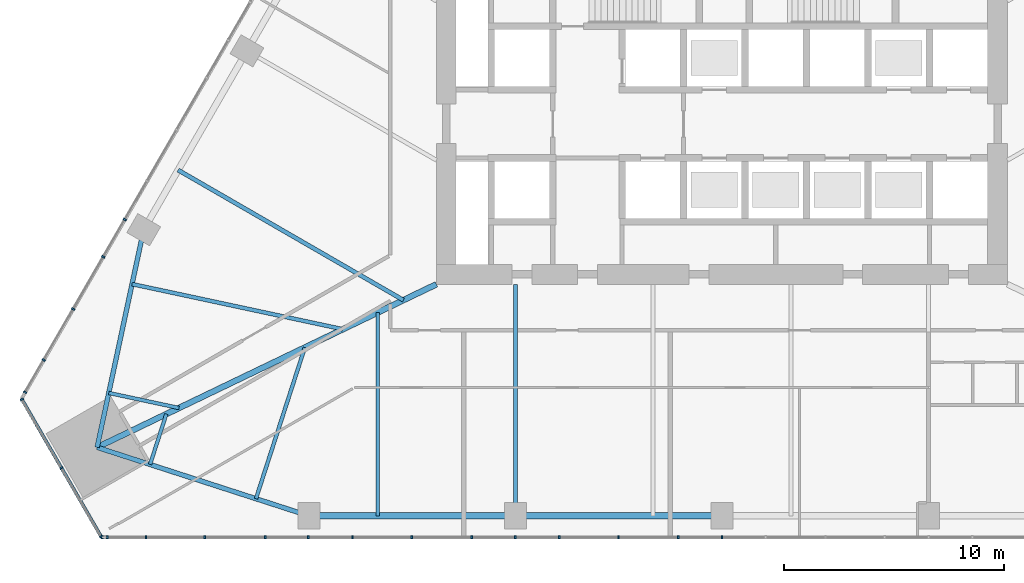
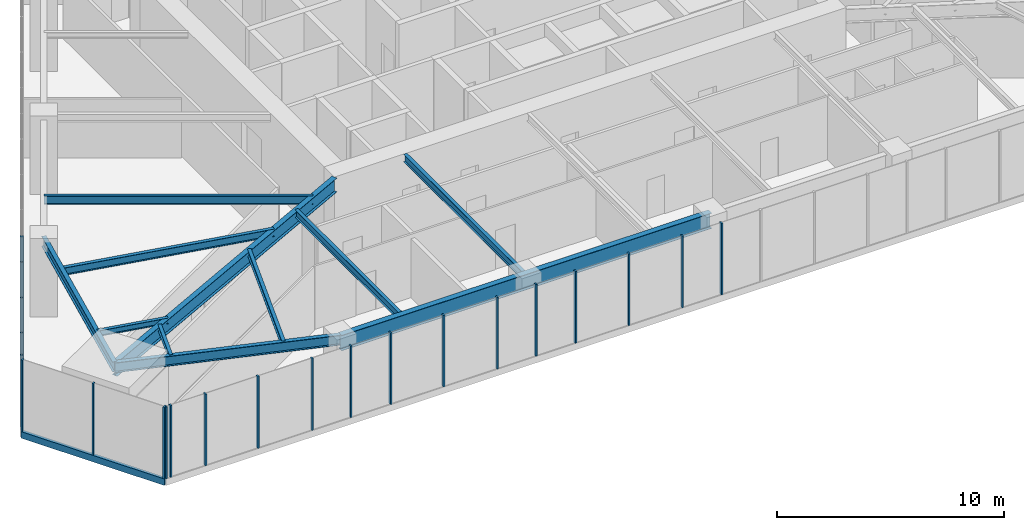
# One storey, part 2 of 21: 23 members, 11 beams, 3 elements without a shape of their own.
"""IFC4 building model written with IfcOpenShell, lengths in metres."""

from ifc_helpers import new_model, si_unit, direction, frame, origin, origin_2d, place, context, subcontext, project, spatial, rectangle, i_section, extrude, material, layer, layer_set, material_profile, profile_set, type_object, element, aggregate, save


model = new_model("IFC4")

# Units and contexts
model_context = context("Model", 3, precision=1e-05, world=origin(), true_north=direction((0.0, 1.0)))
body_context = subcontext(model_context, "Body", "Model", "MODEL_VIEW")
ifc_project = project(units=[si_unit("LENGTHUNIT", "METRE"), si_unit("AREAUNIT", "SQUARE_METRE"), si_unit("VOLUMEUNIT", "CUBIC_METRE"), si_unit("PLANEANGLEUNIT", "RADIAN"), si_unit("MASSUNIT", "GRAM", prefix="KILO")], contexts=[model_context])

# Site, building, storey
site_placement = place(None, origin())
site = spatial("IfcSite", under=ifc_project, at=site_placement, CompositionType="ELEMENT")
building_placement = place(site_placement, origin())
building = spatial("IfcBuilding", under=site, at=building_placement, Name="Firuza Gate Tower and Library", CompositionType="ELEMENT")
storey_placement = place(building_placement, frame((0.0, 0.0, 94.60009765625)))
storey = spatial("IfcBuildingStorey", under=building, at=storey_placement, Name="L21", CompositionType="ELEMENT", Elevation=94.60009765625)

# Curtain wall, members
ifc_material_1 = material(Name="Aluminium 6063-T6", Category="aluminium")
ifc_layer_1 = layer(ifc_material_1, 0.14990234375)
ifc_layer_set_1 = layer_set([ifc_layer_1], Name="Unitised curtain wall, offices")
curtain_wall_type_1 = type_object("IfcCurtainWallType", Name="Unitised curtain wall, offices", PredefinedType="NOTDEFINED", material=ifc_layer_set_1)
placement = place(storey_placement, origin())
curtain_wall_1 = element("IfcCurtainWall", 1, at=placement, inside=storey, type_object=curtain_wall_type_1, Name="CW1 L21 S face", PredefinedType="NOTDEFINED")
ifc_material_2 = material(Name="Aluminium 6063-T6", Category="aluminium")
ifc_material_profile_1 = material_profile(ifc_material_2, rectangle(XDim=0.14990234375, YDim=0.080078125, at=origin_2d()))
ifc_profile_set_1 = profile_set([ifc_material_profile_1], Name="Aluminium 6063-T6")
member_type_1 = type_object("IfcMemberType", Name="Curtain wall mullion 80x150", PredefinedType="MULLION", material=ifc_profile_set_1)
member_1_placement = place(storey_placement, frame((46.78662109375, 54.48095703125, 0.14990234375), z_axis=(0.0, 0.0, 1.0), x_axis=(0.0, 1.0, 0.0)))
member_1 = element("IfcMember", 2, at=member_1_placement, type_object=member_type_1, Name="Mullion", PredefinedType="MULLION", context=body_context, shape_type="SweptSolid", body=[
    extrude(rectangle(XDim=0.14990234375, YDim=0.080078125, at=origin_2d()), origin(), (0.0, 0.0, 1.0), 3.85009765625),
])
member_2_placement = place(storey_placement, frame((51.45556640625, 54.48095703125, 0.14990234375), z_axis=(0.0, 0.0, 1.0), x_axis=(0.0, 1.0, 0.0)))
member_2 = element("IfcMember", 3, at=member_2_placement, type_object=member_type_1, Name="Mullion", PredefinedType="MULLION", context=body_context, shape_type="SweptSolid", body=[
    extrude(rectangle(XDim=0.14990234375, YDim=0.080078125, at=origin_2d()), origin(), (0.0, 0.0, 1.0), 3.85009765625),
])
member_3_placement = place(storey_placement, frame((56.164306640625, 54.48095703125, 0.14990234375), z_axis=(0.0, 0.0, 1.0), x_axis=(0.0, 1.0, 0.0)))
member_3 = element("IfcMember", 4, at=member_3_placement, type_object=member_type_1, Name="Mullion", PredefinedType="MULLION", context=body_context, shape_type="SweptSolid", body=[
    extrude(rectangle(XDim=0.14990234375, YDim=0.080078125, at=origin_2d()), origin(), (0.0, 0.0, 1.0), 3.85009765625),
])
member_4_placement = place(storey_placement, frame((60.873291015625, 54.48095703125, 0.14990234375), z_axis=(0.0, 0.0, 1.0), x_axis=(0.0, 1.0, 0.0)))
member_4 = element("IfcMember", 5, at=member_4_placement, type_object=member_type_1, Name="Mullion", PredefinedType="MULLION", context=body_context, shape_type="SweptSolid", body=[
    extrude(rectangle(XDim=0.14990234375, YDim=0.080078125, at=origin_2d()), origin(), (0.0, 0.0, 1.0), 3.85009765625),
])
member_5_placement = place(storey_placement, frame((65.582275390625, 54.48095703125, 0.14990234375), z_axis=(0.0, 0.0, 1.0), x_axis=(0.0, 1.0, 0.0)))
member_5 = element("IfcMember", 6, at=member_5_placement, type_object=member_type_1, Name="Mullion", PredefinedType="MULLION", context=body_context, shape_type="SweptSolid", body=[
    extrude(rectangle(XDim=0.14990234375, YDim=0.080078125, at=origin_2d()), origin(), (0.0, 0.0, 1.0), 3.85009765625),
])
member_6_placement = place(storey_placement, frame((70.291015625, 54.48095703125, 0.14990234375), z_axis=(0.0, 0.0, 1.0), x_axis=(0.0, 1.0, 0.0)))
member_6 = element("IfcMember", 7, at=member_6_placement, type_object=member_type_1, Name="Mullion", PredefinedType="MULLION", context=body_context, shape_type="SweptSolid", body=[
    extrude(rectangle(XDim=0.14990234375, YDim=0.080078125, at=origin_2d()), origin(), (0.0, 0.0, 1.0), 3.85009765625),
])
member_7_placement = place(storey_placement, frame((75.0, 54.48095703125, 0.14990234375), z_axis=(0.0, 0.0, 1.0), x_axis=(0.0, 1.0, 0.0)))
member_7 = element("IfcMember", 8, at=member_7_placement, type_object=member_type_1, Name="Mullion", PredefinedType="MULLION", context=body_context, shape_type="SweptSolid", body=[
    extrude(rectangle(XDim=0.14990234375, YDim=0.080078125, at=origin_2d()), origin(), (0.0, 0.0, 1.0), 3.85009765625),
])
member_8_placement = place(storey_placement, frame((47.0126953125, 54.48095703125, 0.14990234375), z_axis=(0.0, 0.0, 1.0), x_axis=(0.0, 1.0, 0.0)))
member_8 = element("IfcMember", 9, at=member_8_placement, type_object=member_type_1, Name="Mullion", PredefinedType="MULLION", context=body_context, shape_type="SweptSolid", body=[
    extrude(rectangle(XDim=0.14990234375, YDim=0.080078125, at=origin_2d()), origin(), (0.0, 0.0, 1.0), 3.85009765625),
])
member_9_placement = place(storey_placement, frame((48.778564453125, 54.48095703125, 0.14990234375), z_axis=(0.0, 0.0, 1.0), x_axis=(0.0, 1.0, 0.0)))
member_9 = element("IfcMember", 10, at=member_9_placement, type_object=member_type_1, Name="Mullion", PredefinedType="MULLION", context=body_context, shape_type="SweptSolid", body=[
    extrude(rectangle(XDim=0.14990234375, YDim=0.080078125, at=origin_2d()), origin(), (0.0, 0.0, 1.0), 3.85009765625),
])
member_10_placement = place(storey_placement, frame((54.20458984375, 54.48095703125, 0.14990234375), z_axis=(0.0, 0.0, 1.0), x_axis=(0.0, 1.0, 0.0)))
member_10 = element("IfcMember", 11, at=member_10_placement, type_object=member_type_1, Name="Mullion", PredefinedType="MULLION", context=body_context, shape_type="SweptSolid", body=[
    extrude(rectangle(XDim=0.14990234375, YDim=0.080078125, at=origin_2d()), origin(), (0.0, 0.0, 1.0), 3.85009765625),
])
member_11_placement = place(storey_placement, frame((58.181884765625, 54.48095703125, 0.14990234375), z_axis=(0.0, 0.0, 1.0), x_axis=(0.0, 1.0, 0.0)))
member_11 = element("IfcMember", 12, at=member_11_placement, type_object=member_type_1, Name="Mullion", PredefinedType="MULLION", context=body_context, shape_type="SweptSolid", body=[
    extrude(rectangle(XDim=0.14990234375, YDim=0.080078125, at=origin_2d()), origin(), (0.0, 0.0, 1.0), 3.85009765625),
])
member_12_placement = place(storey_placement, frame((63.60791015625, 54.48095703125, 0.14990234375), z_axis=(0.0, 0.0, 1.0), x_axis=(0.0, 1.0, 0.0)))
member_12 = element("IfcMember", 13, at=member_12_placement, type_object=member_type_1, Name="Mullion", PredefinedType="MULLION", context=body_context, shape_type="SweptSolid", body=[
    extrude(rectangle(XDim=0.14990234375, YDim=0.080078125, at=origin_2d()), origin(), (0.0, 0.0, 1.0), 3.85009765625),
])
member_13_placement = place(storey_placement, frame((67.58544921875, 54.48095703125, 0.14990234375), z_axis=(0.0, 0.0, 1.0), x_axis=(0.0, 1.0, 0.0)))
member_13 = element("IfcMember", 14, at=member_13_placement, type_object=member_type_1, Name="Mullion", PredefinedType="MULLION", context=body_context, shape_type="SweptSolid", body=[
    extrude(rectangle(XDim=0.14990234375, YDim=0.080078125, at=origin_2d()), origin(), (0.0, 0.0, 1.0), 3.85009765625),
])
member_14_placement = place(storey_placement, frame((73.01123046875, 54.48095703125, 0.14990234375), z_axis=(0.0, 0.0, 1.0), x_axis=(0.0, 1.0, 0.0)))
member_14 = element("IfcMember", 15, at=member_14_placement, type_object=member_type_1, Name="Mullion", PredefinedType="MULLION", context=body_context, shape_type="SweptSolid", body=[
    extrude(rectangle(XDim=0.14990234375, YDim=0.080078125, at=origin_2d()), origin(), (0.0, 0.0, 1.0), 3.85009765625),
])
aggregate(curtain_wall_1, [member_1, member_2, member_3, member_4, member_5, member_6, member_7, member_8, member_9, member_10, member_11, member_12, member_13, member_14])

curtain_wall_2 = element("IfcCurtainWall", 16, at=placement, inside=storey, type_object=curtain_wall_type_1, Name="CW1 L21 W face", PredefinedType="NOTDEFINED")
member_15_placement = place(storey_placement, frame((47.812255859375, 68.947509765625, 0.14990234375), z_axis=(0.0, 0.0, 1.0), x_axis=(0.866025403784, -0.5, 0.0)))
member_15 = element("IfcMember", 17, at=member_15_placement, type_object=member_type_1, Name="Mullion", PredefinedType="MULLION", context=body_context, shape_type="SweptSolid", body=[
    extrude(rectangle(XDim=0.14990234375, YDim=0.080078125, at=origin_2d()), origin(), (0.0, 0.0, 1.0), 3.85009765625),
])
member_16_placement = place(storey_placement, frame((45.457763671875, 64.869384765625, 0.14990234375), z_axis=(0.0, 0.0, 1.0), x_axis=(0.866025403784, -0.5, 0.0)))
member_16 = element("IfcMember", 18, at=member_16_placement, type_object=member_type_1, Name="Mullion", PredefinedType="MULLION", context=body_context, shape_type="SweptSolid", body=[
    extrude(rectangle(XDim=0.14990234375, YDim=0.080078125, at=origin_2d()), origin(), (0.0, 0.0, 1.0), 3.85009765625),
])
member_17_placement = place(storey_placement, frame((46.832275390625, 67.250244140625, 0.14990234375), z_axis=(0.0, 0.0, 1.0), x_axis=(0.866025403784, -0.5, 0.0)))
member_17 = element("IfcMember", 19, at=member_17_placement, type_object=member_type_1, Name="Mullion", PredefinedType="MULLION", context=body_context, shape_type="SweptSolid", body=[
    extrude(rectangle(XDim=0.14990234375, YDim=0.080078125, at=origin_2d()), origin(), (0.0, 0.0, 1.0), 3.85009765625),
])
member_18_placement = place(storey_placement, frame((44.119384765625, 62.551025390625, 0.14990234375), z_axis=(0.0, 0.0, 1.0), x_axis=(0.866025403784, -0.5, 0.0)))
member_18 = element("IfcMember", 20, at=member_18_placement, type_object=member_type_1, Name="Mullion", PredefinedType="MULLION", context=body_context, shape_type="SweptSolid", body=[
    extrude(rectangle(XDim=0.14990234375, YDim=0.080078125, at=origin_2d()), origin(), (0.0, 0.0, 1.0), 3.85009765625),
])
member_19_placement = place(storey_placement, frame((43.268798828125, 61.078125, 0.14990234375), z_axis=(0.0, 0.0, 1.0), x_axis=(0.866025403784, -0.5, 0.0)))
member_19 = element("IfcMember", 21, at=member_19_placement, type_object=member_type_1, Name="Mullion", PredefinedType="MULLION", context=body_context, shape_type="SweptSolid", body=[
    extrude(rectangle(XDim=0.14990234375, YDim=0.080078125, at=origin_2d()), origin(), (0.0, 0.0, 1.0), 3.85009765625),
])
aggregate(curtain_wall_2, [member_15, member_16, member_17, member_18, member_19])

ifc_material_3 = material(Name="Aluminium 6063-T6", Category="aluminium")
ifc_layer_2 = layer(ifc_material_3, 0.14990234375)
ifc_layer_set_2 = layer_set([ifc_layer_2], Name="Corner curtain wall, chamfers")
curtain_wall_type_2 = type_object("IfcCurtainWallType", Name="Corner curtain wall, chamfers", PredefinedType="NOTDEFINED", material=ifc_layer_set_2)
curtain_wall_3 = element("IfcCurtainWall", 22, at=placement, inside=storey, type_object=curtain_wall_type_2, Name="CW4 L21 SW corner", PredefinedType="NOTDEFINED")
member_20_placement = place(storey_placement, frame((43.123291015625, 60.756591796875, 0.14990234375), z_axis=(0.0, 0.0, 1.0), x_axis=(0.866025403784, 0.5, 0.0)))
member_20 = element("IfcMember", 23, at=member_20_placement, type_object=member_type_1, Name="Mullion", PredefinedType="MULLION", context=body_context, shape_type="SweptSolid", body=[
    extrude(rectangle(XDim=0.14990234375, YDim=0.080078125, at=origin_2d()), origin(), (0.0, 0.0, 1.0), 3.85009765625),
])
member_21_placement = place(storey_placement, frame((44.925048828125, 57.63623046875, 0.14990234375), z_axis=(0.0, 0.0, 1.0), x_axis=(0.866025403784, 0.5, 0.0)))
member_21 = element("IfcMember", 24, at=member_21_placement, type_object=member_type_1, Name="Mullion", PredefinedType="MULLION", context=body_context, shape_type="SweptSolid", body=[
    extrude(rectangle(XDim=0.14990234375, YDim=0.080078125, at=origin_2d()), origin(), (0.0, 0.0, 1.0), 3.85009765625),
])
member_22_placement = place(storey_placement, frame((46.7265625, 54.515625, 0.14990234375), z_axis=(0.0, 0.0, 1.0), x_axis=(0.866025403784, 0.5, 0.0)))
member_22 = element("IfcMember", 25, at=member_22_placement, type_object=member_type_1, Name="Mullion", PredefinedType="MULLION", context=body_context, shape_type="SweptSolid", body=[
    extrude(rectangle(XDim=0.14990234375, YDim=0.080078125, at=origin_2d()), origin(), (0.0, 0.0, 1.0), 3.85009765625),
])
ifc_material_4 = material(Name="Aluminium 6063-T6", Category="aluminium")
ifc_material_profile_2 = material_profile(ifc_material_4, rectangle(XDim=0.14990234375, YDim=0.35009765625, at=origin_2d()))
ifc_profile_set_2 = profile_set([ifc_material_profile_2], Name="Aluminium 6063-T6")
member_type_2 = type_object("IfcMemberType", Name="Curtain wall transom 350x150", PredefinedType="USERDEFINED", material=ifc_profile_set_2)
member_23_placement = place(storey_placement, frame((43.103271484375, 60.791259765625, -0.025146484375), z_axis=(0.500005719219, -0.866022101766, 0.0), x_axis=(0.866022101766, 0.500005719219, 0.0)))
member_23 = element("IfcMember", 26, at=member_23_placement, type_object=member_type_2, Name="Transom", ObjectType="TRANSOM", PredefinedType="USERDEFINED", context=body_context, shape_type="SweptSolid", body=[
    extrude(rectangle(XDim=0.14990234375, YDim=0.35009765625, at=origin_2d()), origin(), (0.0, 0.0, 1.0), 7.28662109375),
])
aggregate(curtain_wall_3, [member_20, member_21, member_22, member_23])

# Beams
ifc_material_5 = material(Name="Steel S355", Category="steel")
ifc_material_profile_3 = material_profile(ifc_material_5, i_section(OverallWidth=0.1650390625, OverallDepth=0.31005859375, WebThickness=0.005859375, FlangeThickness=0.009765625, at=origin_2d()))
ifc_profile_set_3 = profile_set([ifc_material_profile_3], Name="Steel S355")
beam_type_1 = type_object("IfcBeamType", Name="W310x39 Floor beam", PredefinedType="JOIST", material=ifc_profile_set_3)
beam_1_placement = place(storey_placement, frame((47.079345703125, 61.051513671875, 3.844970703125), z_axis=(0.97783625128, -0.209371119503, 0.0), x_axis=(0.209371119503, 0.97783625128, 0.0)))
element("IfcBeam", 27, at=beam_1_placement, inside=storey, type_object=beam_type_1, Name="Floor beam L21 s01", PredefinedType="JOIST", context=body_context, shape_type="SweptSolid", body=[
    extrude(i_section(OverallWidth=0.1650390625, OverallDepth=0.31005859375, WebThickness=0.005859375, FlangeThickness=0.009765625, at=origin_2d()), origin(), (0.0, 0.0, 1.0), 3.27197265625),
])
beam_2_placement = place(storey_placement, frame((48.9599609375, 57.794189453125, 3.844970703125), z_axis=(0.307529192358, 0.951538646534, 0.0), x_axis=(-0.951538646534, 0.307529192358, 0.0)))
element("IfcBeam", 28, at=beam_2_placement, inside=storey, type_object=beam_type_1, Name="Floor beam L21 s10", PredefinedType="JOIST", context=body_context, shape_type="SweptSolid", body=[
    extrude(i_section(OverallWidth=0.1650390625, OverallDepth=0.31005859375, WebThickness=0.005859375, FlangeThickness=0.009765625, at=origin_2d()), origin(), (0.0, 0.0, 1.0), 2.411865234375),
])
ifc_material_6 = material(Name="Steel S355", Category="steel")
ifc_material_profile_4 = material_profile(ifc_material_6, i_section(OverallWidth=0.1708984375, OverallDepth=0.35498046875, WebThickness=0.007080078125, FlangeThickness=0.01171875, at=origin_2d()))
ifc_profile_set_4 = profile_set([ifc_material_profile_4], Name="Steel S355")
beam_type_2 = type_object("IfcBeamType", Name="W360x51 Floor beam", PredefinedType="JOIST", material=ifc_profile_set_4)
beam_3_placement = place(storey_placement, frame((53.7822265625, 56.2353515625, 3.822509765625), z_axis=(0.307569618225, 0.951525580289, 0.0), x_axis=(-0.951525580289, 0.307569618225, 0.0)))
element("IfcBeam", 29, at=beam_3_placement, inside=storey, type_object=beam_type_2, Name="Floor beam L21 s11", PredefinedType="JOIST", context=body_context, shape_type="SweptSolid", body=[
    extrude(i_section(OverallWidth=0.1708984375, OverallDepth=0.35498046875, WebThickness=0.007080078125, FlangeThickness=0.01171875, at=origin_2d()), origin(), (0.0, 0.0, 1.0), 7.2353515625),
])
ifc_material_7 = material(Name="Steel S355", Category="steel")
ifc_material_profile_5 = material_profile(ifc_material_7, i_section(OverallWidth=0.177978515625, OverallDepth=0.406982421875, WebThickness=0.0078125, FlangeThickness=0.0126953125, at=origin_2d()))
ifc_profile_set_5 = profile_set([ifc_material_profile_5], Name="Steel S355")
beam_type_3 = type_object("IfcBeamType", Name="W410x60 Floor beam", PredefinedType="JOIST", material=ifc_profile_set_5)
beam_4_placement = place(storey_placement, frame((48.140380859375, 66.007080078125, 3.79638671875), z_axis=(0.977835160952, -0.209376211652, 0.0), x_axis=(0.209376211652, 0.977835160952, 0.0)))
element("IfcBeam", 30, at=beam_4_placement, inside=storey, type_object=beam_type_3, Name="Floor beam L21 s00", PredefinedType="JOIST", context=body_context, shape_type="SweptSolid", body=[
    extrude(i_section(OverallWidth=0.177978515625, OverallDepth=0.406982421875, WebThickness=0.0078125, FlangeThickness=0.0126953125, at=origin_2d()), origin(), (0.0, 0.0, 1.0), 9.815673828125),
])
beam_5_placement = place(storey_placement, frame((59.32763671875, 55.4560546875, 3.79638671875), z_axis=(0.0, 1.0, 0.0), x_axis=(-1.0, 0.0, 0.0)))
element("IfcBeam", 31, at=beam_5_placement, inside=storey, type_object=beam_type_3, Name="Floor beam L21 s20", PredefinedType="JOIST", context=body_context, shape_type="SweptSolid", body=[
    extrude(i_section(OverallWidth=0.177978515625, OverallDepth=0.406982421875, WebThickness=0.0078125, FlangeThickness=0.0126953125, at=origin_2d()), origin(), (0.0, 0.0, 1.0), 9.259521484375),
])
beam_6_placement = place(storey_placement, frame((65.5966796875, 55.4560546875, 3.79638671875), z_axis=(0.0, 1.0, 0.0), x_axis=(-1.0, 0.0, 0.0)))
element("IfcBeam", 32, at=beam_6_placement, inside=storey, type_object=beam_type_3, Name="Floor beam L21 s21", PredefinedType="JOIST", context=body_context, shape_type="SweptSolid", body=[
    extrude(i_section(OverallWidth=0.177978515625, OverallDepth=0.406982421875, WebThickness=0.0078125, FlangeThickness=0.0126953125, at=origin_2d()), origin(), (0.0, 0.0, 1.0), 10.5439453125),
])
ifc_material_8 = material(Name="Steel S355", Category="steel")
ifc_material_profile_6 = material_profile(ifc_material_8, i_section(OverallWidth=0.18994140625, OverallDepth=0.45703125, WebThickness=0.009033203125, FlangeThickness=0.014404296875, at=origin_2d()))
ifc_profile_set_6 = profile_set([ifc_material_profile_6], Name="Steel S355")
beam_type_4 = type_object("IfcBeamType", Name="W460x74 Floor beam", PredefinedType="JOIST", material=ifc_profile_set_6)
beam_7_placement = place(storey_placement, frame((50.23828125, 71.199462890625, 3.771484375), z_axis=(0.866019794698, -0.500009715097, 0.0), x_axis=(0.500009715097, 0.866019794698, 0.0)))
element("IfcBeam", 33, at=beam_7_placement, inside=storey, type_object=beam_type_4, Name="Floor beam L21 s85", PredefinedType="JOIST", context=body_context, shape_type="SweptSolid", body=[
    extrude(i_section(OverallWidth=0.18994140625, OverallDepth=0.45703125, WebThickness=0.009033203125, FlangeThickness=0.014404296875, at=origin_2d()), origin(), (0.0, 0.0, 1.0), 11.844482421875),
])
ifc_material_9 = material(Name="Steel S355", Category="steel")
ifc_material_profile_7 = material_profile(ifc_material_9, i_section(OverallWidth=0.212890625, OverallDepth=0.5390625, WebThickness=0.01171875, FlangeThickness=0.018798828125, at=origin_2d()))
ifc_profile_set_7 = profile_set([ifc_material_profile_7], Name="Steel S355")
beam_type_5 = type_object("IfcBeamType", Name="W530x109 Edge beam", PredefinedType="SPANDREL", material=ifc_profile_set_7)
beam_8_placement = place(storey_placement, frame((48.6708984375, 68.48486328125, 3.73046875), z_axis=(-0.209364588878, -0.977837649574, 0.0), x_axis=(0.977837649574, -0.209364588878, 0.0)))
element("IfcBeam", 34, at=beam_8_placement, inside=storey, type_object=beam_type_5, Name="Edge beam L21 e00", PredefinedType="SPANDREL", context=body_context, shape_type="SweptSolid", body=[
    extrude(i_section(OverallWidth=0.212890625, OverallDepth=0.5390625, WebThickness=0.01171875, FlangeThickness=0.018798828125, at=origin_2d()), origin(), (0.0, 0.0, 1.0), 10.1357421875),
])
beam_9_placement = place(storey_placement, frame((46.548828125, 58.57373046875, 3.73046875), z_axis=(0.951520013056, -0.307586840996, 0.0), x_axis=(0.307586840996, 0.951520013056, 0.0)))
element("IfcBeam", 35, at=beam_9_placement, inside=storey, type_object=beam_type_5, Name="Edge beam L21 e10", PredefinedType="SPANDREL", context=body_context, shape_type="SweptSolid", body=[
    extrude(i_section(OverallWidth=0.212890625, OverallDepth=0.5390625, WebThickness=0.01171875, FlangeThickness=0.018798828125, at=origin_2d()), origin(), (0.0, 0.0, 1.0), 10.135986328125),
])
ifc_material_10 = material(Name="Steel S355", Category="steel")
ifc_material_profile_8 = material_profile(ifc_material_10, i_section(OverallWidth=0.264892578125, OverallDepth=0.7529296875, WebThickness=0.01318359375, FlangeThickness=0.01708984375, at=origin_2d()))
ifc_profile_set_8 = profile_set([ifc_material_profile_8], Name="Steel S355")
beam_type_6 = type_object("IfcBeamType", Name="W760x147 Girder", PredefinedType="BEAM", material=ifc_profile_set_8)
beam_10_placement = place(storey_placement, frame((46.548828125, 58.57373046875, 3.623291015625), z_axis=(0.901302042776, 0.433191213771, 0.0), x_axis=(-0.433191213771, 0.901302042776, 0.0)))
element("IfcBeam", 36, at=beam_10_placement, inside=storey, type_object=beam_type_6, Name="Girder L21 gSW", PredefinedType="BEAM", context=body_context, shape_type="SweptSolid", body=[
    extrude(i_section(OverallWidth=0.264892578125, OverallDepth=0.7529296875, WebThickness=0.01318359375, FlangeThickness=0.01708984375, at=origin_2d()), origin(), (0.0, 0.0, 1.0), 17.14306640625),
])
ifc_material_11 = material(Name="Steel S355", Category="steel")
ifc_material_profile_9 = material_profile(ifc_material_11, i_section(OverallWidth=0.2919921875, OverallDepth=0.8349609375, WebThickness=0.013916015625, FlangeThickness=0.018798828125, at=origin_2d()))
ifc_profile_set_9 = profile_set([ifc_material_profile_9], Name="Steel S355")
beam_type_7 = type_object("IfcBeamType", Name="W840x176 Edge beam", PredefinedType="SPANDREL", material=ifc_profile_set_9)
beam_11_placement = place(storey_placement, frame((56.193359375, 55.4560546875, 3.58251953125), z_axis=(1.0, 0.0, 0.0), x_axis=(0.0, 1.0, 0.0)))
element("IfcBeam", 37, at=beam_11_placement, inside=storey, type_object=beam_type_7, Name="Edge beam L21 e20", PredefinedType="SPANDREL", context=body_context, shape_type="SweptSolid", body=[
    extrude(i_section(OverallWidth=0.2919921875, OverallDepth=0.8349609375, WebThickness=0.013916015625, FlangeThickness=0.018798828125, at=origin_2d()), origin(), (0.0, 0.0, 1.0), 18.806640625),
])

save(model, "model.ifc")
